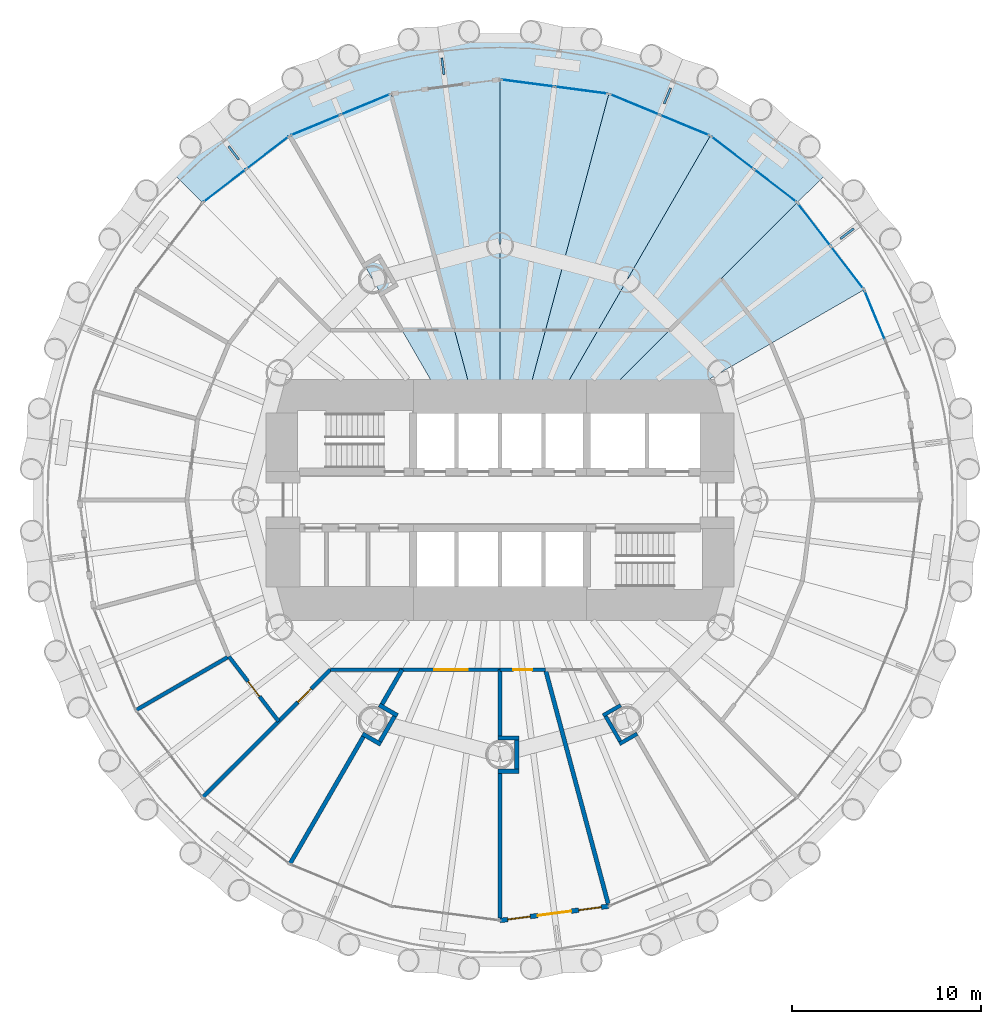
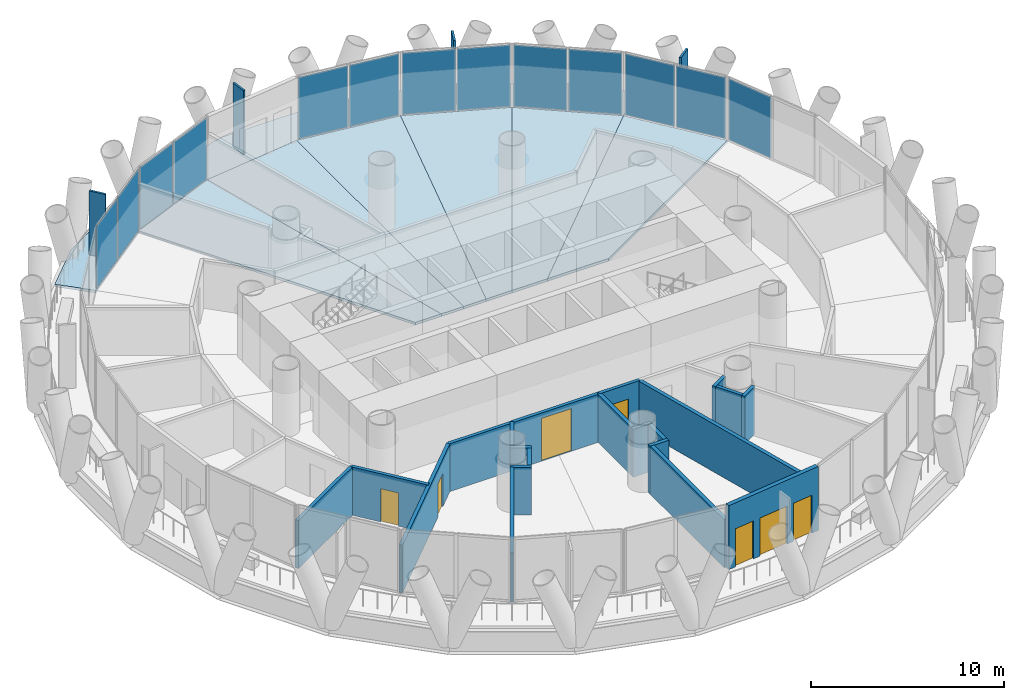
# One storey, part 8 of 15: 21 walls, 17 plates, 7 slabs, 5 doors, 2 windows, 7 openings, 7 elements without a shape of their own.
"""IFC4 building model written with IfcOpenShell, lengths in metres."""

from ifc_helpers import new_model, si_unit, direction, frame, frame_2d, origin, origin_2d, place, context, subcontext, project, spatial, polyline, rectangle, outline, extrude, material, layer, layer_set, type_object, element, fill, aggregate, save


model = new_model("IFC4")

# Units and contexts
model_context = context("Model", 3, precision=1e-05, world=origin(), true_north=direction((0.0, 1.0)))
body_context = subcontext(model_context, "Body", "Model", "MODEL_VIEW")
ifc_project = project(units=[si_unit("LENGTHUNIT", "METRE"), si_unit("AREAUNIT", "SQUARE_METRE"), si_unit("VOLUMEUNIT", "CUBIC_METRE"), si_unit("PLANEANGLEUNIT", "RADIAN"), si_unit("MASSUNIT", "GRAM", prefix="KILO")], contexts=[model_context])

# Site, building, storey
site_placement = place(None, origin())
site = spatial("IfcSite", under=ifc_project, at=site_placement, CompositionType="ELEMENT")
building_placement = place(site_placement, origin())
building = spatial("IfcBuilding", under=site, at=building_placement, Name="Qaws Media Tower", CompositionType="ELEMENT")
storey_placement = place(building_placement, frame((0.0, 0.0, 51.199951171875)))
storey = spatial("IfcBuildingStorey", under=building, at=storey_placement, Name="L10", CompositionType="ELEMENT", Elevation=51.199951171875)

# Slabs
ifc_material_1 = material(Name="Concrete C35/45", Category="concrete")
ifc_layer_1 = layer(ifc_material_1, 0.159912109375)
ifc_layer_set_1 = layer_set([ifc_layer_1], Name="Composite balcony slab 160")
slab_type_1 = type_object("IfcSlabType", Name="Composite balcony slab 160", PredefinedType="FLOOR", material=ifc_layer_set_1)
slab_1_placement = place(storey_placement, frame((0.0, 0.0, -0.159912109375)))
element("IfcSlab", 1, at=slab_1_placement, inside=storey, type_object=slab_type_1, Name="S2 balcony slab L10 R04 to R10, movement joints on R04 and R10", PredefinedType="FLOOR", context=body_context, shape_type="SweptSolid", body=[
    extrude(outline(polyline([(44.963623046875, 69.595703125), (50.547607421875, 72.81982421875), (56.77587890625, 74.48876953125), (63.22412109375, 74.48876953125), (69.452392578125, 72.81982421875), (75.036376953125, 69.595703125), (77.316162109375, 67.316162109375), (75.7685546875, 65.7685546875), (71.14990234375, 69.3125), (65.771728515625, 71.5400390625), (60.0, 72.300048828125), (54.228271484375, 71.5400390625), (48.85009765625, 69.3125), (44.2314453125, 65.7685546875), (42.683837890625, 67.316162109375), (44.963623046875, 69.595703125)])), origin(), (0.0, 0.0, 1.0), 0.159912109375),
])
ifc_material_2 = material(Name="Concrete C35/45", Category="concrete")
ifc_layer_2 = layer(ifc_material_2, 0.159912109375)
ifc_layer_set_2 = layer_set([ifc_layer_2], Name="Composite floor slab 160")
slab_type_2 = type_object("IfcSlabType", Name="Composite floor slab 160", PredefinedType="FLOOR", material=ifc_layer_set_2)
slab_2_placement = place(storey_placement, frame((0.0, 0.0, -0.159912109375)))
element("IfcSlab", 2, at=slab_2_placement, inside=storey, type_object=slab_type_2, Name="S1 floor panel L10 on R03+7.5", PredefinedType="FLOOR", context=body_context, shape_type="SweptSolid", body=[
    extrude(outline(polyline([(79.3125, 61.14990234375), (68.660400390625, 55.0), (65.0, 55.0), (75.7685546875, 65.7685546875), (79.3125, 61.14990234375)])), origin(), (0.0, 0.0, 1.0), 0.159912109375),
])
slab_3_placement = place(storey_placement, frame((0.0, 0.0, -0.159912109375)))
element("IfcSlab", 3, at=slab_3_placement, inside=storey, type_object=slab_type_2, Name="S1 floor panel L10 on R04+7.5", PredefinedType="FLOOR", context=body_context, shape_type="SweptSolid", body=[
    extrude(outline(polyline([(75.7685546875, 65.7685546875), (65.0, 55.0), (62.88671875, 55.0), (71.14990234375, 69.3125), (75.7685546875, 65.7685546875)])), origin(), (0.0, 0.0, 1.0), 0.159912109375),
])
slab_4_placement = place(storey_placement, frame((0.0, 0.0, -0.159912109375)))
element("IfcSlab", 4, at=slab_4_placement, inside=storey, type_object=slab_type_2, Name="S1 floor panel L10 on R05+7.5", PredefinedType="FLOOR", context=body_context, shape_type="SweptSolid", body=[
    extrude(outline(polyline([(65.771728515625, 71.5400390625), (71.14990234375, 69.3125), (62.88671875, 55.0), (61.339599609375, 55.0), (65.771728515625, 71.5400390625)])), origin(), (0.0, 0.0, 1.0), 0.159912109375),
])
slab_5_placement = place(storey_placement, frame((0.0, 0.0, -0.159912109375)))
element("IfcSlab", 5, at=slab_5_placement, inside=storey, type_object=slab_type_2, Name="S1 floor panel L10 on R06+7.5", PredefinedType="FLOOR", context=body_context, shape_type="SweptSolid", body=[
    extrude(outline(polyline([(65.771728515625, 71.5400390625), (61.339599609375, 55.0), (60.0, 55.0), (60.0, 72.300048828125), (65.771728515625, 71.5400390625)])), origin(), (0.0, 0.0, 1.0), 0.159912109375),
])
slab_6_placement = place(storey_placement, frame((0.0, 0.0, -0.159912109375)))
element("IfcSlab", 6, at=slab_6_placement, inside=storey, type_object=slab_type_2, Name="S1 floor panel L10 on R07+7.5", PredefinedType="FLOOR", context=body_context, shape_type="SweptSolid", body=[
    extrude(outline(polyline([(60.0, 72.300048828125), (60.0, 55.0), (58.660400390625, 55.0), (54.228271484375, 71.5400390625), (60.0, 72.300048828125)])), origin(), (0.0, 0.0, 1.0), 0.159912109375),
])
slab_7_placement = place(storey_placement, frame((0.0, 0.0, -0.159912109375)))
element("IfcSlab", 7, at=slab_7_placement, inside=storey, type_object=slab_type_2, Name="S1 floor panel L10 on R08+7.5", PredefinedType="FLOOR", context=body_context, shape_type="SweptSolid", body=[
    extrude(outline(polyline([(48.85009765625, 69.3125), (54.228271484375, 71.5400390625), (58.660400390625, 55.0), (57.11328125, 55.0), (48.85009765625, 69.3125)])), origin(), (0.0, 0.0, 1.0), 0.159912109375),
])

# Curtain wall, plate
ifc_material_3 = material(Name="Aluminium and clear glass", Category="aluminium")
curtain_wall_type = type_object("IfcCurtainWallType", Name="Unitised curtain wall CW-A", PredefinedType="NOTDEFINED", material=ifc_material_3)
curtain_wall_1_placement = place(storey_placement, origin())
curtain_wall_1 = element("IfcCurtainWall", 8, at=curtain_wall_1_placement, inside=storey, type_object=curtain_wall_type, Name="CWA curtain wall L10-02", PredefinedType="NOTDEFINED")
ifc_material_4 = material(Name="Clear laminated double glazing", Category="glass")
ifc_layer_3 = layer(ifc_material_4, 0.031982421875)
ifc_layer_set_3 = layer_set([ifc_layer_3], Name="Curtain wall glass unit 32")
plate_type_1 = type_object("IfcPlateType", Name="Curtain wall glass unit 32", PredefinedType="CURTAIN_PANEL", material=ifc_layer_set_3)
plate_1_placement = place(storey_placement, frame((79.876953125, 59.786865234375, 0.080078125), z_axis=(0.0, 0.0, 1.0), x_axis=(-0.382683388377, 0.923879550732, 0.0)))
plate_1 = element("IfcPlate", 9, at=plate_1_placement, type_object=plate_type_1, Name="CWA panel 2.1", PredefinedType="CURTAIN_PANEL", context=body_context, shape_type="SweptSolid", body=[
    extrude(rectangle(XDim=2.790771484375, YDim=0.031982421875, at=origin_2d()), origin(), (0.0, 0.0, 1.0), 3.8798828125),
])
aggregate(curtain_wall_1, [plate_1])

# Curtain wall, plates
curtain_wall_2_placement = place(storey_placement, origin())
curtain_wall_2 = element("IfcCurtainWall", 10, at=curtain_wall_2_placement, inside=storey, type_object=curtain_wall_type, Name="CWA curtain wall L10-03", PredefinedType="NOTDEFINED")
plate_2_placement = place(storey_placement, frame((78.414306640625, 62.320556640625, 0.080078125), z_axis=(0.0, 0.0, 1.0), x_axis=(-0.608761524717, 0.793353266852, 0.0)))
plate_2 = element("IfcPlate", 11, at=plate_2_placement, type_object=plate_type_1, Name="CWA panel 1.1", PredefinedType="CURTAIN_PANEL", context=body_context, shape_type="SweptSolid", body=[
    extrude(rectangle(XDim=2.790771484375, YDim=0.031982421875, at=origin_2d()), origin(), (0.0, 0.0, 1.0), 3.8798828125),
])
plate_3_placement = place(storey_placement, frame((76.666748046875, 64.597900390625, 0.080078125), z_axis=(0.0, 0.0, 1.0), x_axis=(-0.608761524717, 0.793353266852, 0.0)))
plate_3 = element("IfcPlate", 12, at=plate_3_placement, type_object=plate_type_1, Name="CWA panel 2.1", PredefinedType="CURTAIN_PANEL", context=body_context, shape_type="SweptSolid", body=[
    extrude(rectangle(XDim=2.790771484375, YDim=0.031982421875, at=origin_2d()), origin(), (0.0, 0.0, 1.0), 3.8798828125),
])
aggregate(curtain_wall_2, [plate_2, plate_3])

curtain_wall_3_placement = place(storey_placement, origin())
curtain_wall_3 = element("IfcCurtainWall", 13, at=curtain_wall_3_placement, inside=storey, type_object=curtain_wall_type, Name="CWA curtain wall L10-04", PredefinedType="NOTDEFINED")
plate_4_placement = place(storey_placement, frame((74.597900390625, 66.666748046875, 0.080078125), z_axis=(0.0, 0.0, 1.0), x_axis=(-0.793353266852, 0.608761524717, 0.0)))
plate_4 = element("IfcPlate", 14, at=plate_4_placement, type_object=plate_type_1, Name="CWA panel 1.1", PredefinedType="CURTAIN_PANEL", context=body_context, shape_type="SweptSolid", body=[
    extrude(rectangle(XDim=2.790771484375, YDim=0.031982421875, at=origin_2d()), origin(), (0.0, 0.0, 1.0), 3.8798828125),
])
plate_5_placement = place(storey_placement, frame((72.320556640625, 68.414306640625, 0.080078125), z_axis=(0.0, 0.0, 1.0), x_axis=(-0.793353266852, 0.608761524717, 0.0)))
plate_5 = element("IfcPlate", 15, at=plate_5_placement, type_object=plate_type_1, Name="CWA panel 2.1", PredefinedType="CURTAIN_PANEL", context=body_context, shape_type="SweptSolid", body=[
    extrude(rectangle(XDim=2.790771484375, YDim=0.031982421875, at=origin_2d()), origin(), (0.0, 0.0, 1.0), 3.8798828125),
])
aggregate(curtain_wall_3, [plate_4, plate_5])

curtain_wall_4_placement = place(storey_placement, origin())
curtain_wall_4 = element("IfcCurtainWall", 16, at=curtain_wall_4_placement, inside=storey, type_object=curtain_wall_type, Name="CWA curtain wall L10-05", PredefinedType="NOTDEFINED")
plate_6_placement = place(storey_placement, frame((69.786865234375, 69.876953125, 0.080078125), z_axis=(0.0, 0.0, 1.0), x_axis=(-0.923879550732, 0.382683388377, 0.0)))
plate_6 = element("IfcPlate", 17, at=plate_6_placement, type_object=plate_type_1, Name="CWA panel 1.1", PredefinedType="CURTAIN_PANEL", context=body_context, shape_type="SweptSolid", body=[
    extrude(rectangle(XDim=2.790771484375, YDim=0.031982421875, at=origin_2d()), origin(), (0.0, 0.0, 1.0), 3.8798828125),
])
plate_7_placement = place(storey_placement, frame((67.134765625, 70.9755859375, 0.080078125), z_axis=(0.0, 0.0, 1.0), x_axis=(-0.923879550732, 0.382683388377, 0.0)))
plate_7 = element("IfcPlate", 18, at=plate_7_placement, type_object=plate_type_1, Name="CWA panel 2.1", PredefinedType="CURTAIN_PANEL", context=body_context, shape_type="SweptSolid", body=[
    extrude(rectangle(XDim=2.790771484375, YDim=0.031982421875, at=origin_2d()), origin(), (0.0, 0.0, 1.0), 3.8798828125),
])
aggregate(curtain_wall_4, [plate_6, plate_7])

curtain_wall_5_placement = place(storey_placement, origin())
curtain_wall_5 = element("IfcCurtainWall", 19, at=curtain_wall_5_placement, inside=storey, type_object=curtain_wall_type, Name="CWA curtain wall L10-06", PredefinedType="NOTDEFINED")
plate_8_placement = place(storey_placement, frame((64.308837890625, 71.732666015625, 0.080078125), z_axis=(0.0, 0.0, 1.0), x_axis=(-0.991444863875, 0.13052617322, 0.0)))
plate_8 = element("IfcPlate", 20, at=plate_8_placement, type_object=plate_type_1, Name="CWA panel 1.1", PredefinedType="CURTAIN_PANEL", context=body_context, shape_type="SweptSolid", body=[
    extrude(rectangle(XDim=2.790771484375, YDim=0.031982421875, at=origin_2d()), origin(), (0.0, 0.0, 1.0), 3.8798828125),
])
plate_9_placement = place(storey_placement, frame((61.462646484375, 72.107421875, 0.080078125), z_axis=(0.0, 0.0, 1.0), x_axis=(-0.991444863875, 0.13052617322, 0.0)))
plate_9 = element("IfcPlate", 21, at=plate_9_placement, type_object=plate_type_1, Name="CWA panel 2.1", PredefinedType="CURTAIN_PANEL", context=body_context, shape_type="SweptSolid", body=[
    extrude(rectangle(XDim=2.790771484375, YDim=0.031982421875, at=origin_2d()), origin(), (0.0, 0.0, 1.0), 3.8798828125),
])
aggregate(curtain_wall_5, [plate_8, plate_9])

curtain_wall_6_placement = place(storey_placement, origin())
curtain_wall_6 = element("IfcCurtainWall", 22, at=curtain_wall_6_placement, inside=storey, type_object=curtain_wall_type, Name="CWA curtain wall L10-08", PredefinedType="NOTDEFINED")
plate_10_placement = place(storey_placement, frame((52.865234375, 70.9755859375, 0.080078125), z_axis=(0.0, 0.0, 1.0), x_axis=(-0.923879550732, -0.382683388377, 0.0)))
plate_10 = element("IfcPlate", 23, at=plate_10_placement, type_object=plate_type_1, Name="CWA panel 1.1", PredefinedType="CURTAIN_PANEL", context=body_context, shape_type="SweptSolid", body=[
    extrude(rectangle(XDim=2.790771484375, YDim=0.031982421875, at=origin_2d()), origin(), (0.0, 0.0, 1.0), 3.8798828125),
])
plate_11_placement = place(storey_placement, frame((50.213134765625, 69.876953125, 0.080078125), z_axis=(0.0, 0.0, 1.0), x_axis=(-0.923879550732, -0.382683388377, 0.0)))
plate_11 = element("IfcPlate", 24, at=plate_11_placement, type_object=plate_type_1, Name="CWA panel 2.1", PredefinedType="CURTAIN_PANEL", context=body_context, shape_type="SweptSolid", body=[
    extrude(rectangle(XDim=2.790771484375, YDim=0.031982421875, at=origin_2d()), origin(), (0.0, 0.0, 1.0), 3.8798828125),
])
aggregate(curtain_wall_6, [plate_10, plate_11])

curtain_wall_7_placement = place(storey_placement, origin())
curtain_wall_7 = element("IfcCurtainWall", 25, at=curtain_wall_7_placement, inside=storey, type_object=curtain_wall_type, Name="CWA curtain wall L10-09", PredefinedType="NOTDEFINED")
plate_12_placement = place(storey_placement, frame((47.679443359375, 68.414306640625, 0.080078125), z_axis=(0.0, 0.0, 1.0), x_axis=(-0.793353266852, -0.608761524717, 0.0)))
plate_12 = element("IfcPlate", 26, at=plate_12_placement, type_object=plate_type_1, Name="CWA panel 1.1", PredefinedType="CURTAIN_PANEL", context=body_context, shape_type="SweptSolid", body=[
    extrude(rectangle(XDim=2.790771484375, YDim=0.031982421875, at=origin_2d()), origin(), (0.0, 0.0, 1.0), 3.8798828125),
])
plate_13_placement = place(storey_placement, frame((45.402099609375, 66.666748046875, 0.080078125), z_axis=(0.0, 0.0, 1.0), x_axis=(-0.793353266852, -0.608761524717, 0.0)))
plate_13 = element("IfcPlate", 27, at=plate_13_placement, type_object=plate_type_1, Name="CWA panel 2.1", PredefinedType="CURTAIN_PANEL", context=body_context, shape_type="SweptSolid", body=[
    extrude(rectangle(XDim=2.790771484375, YDim=0.031982421875, at=origin_2d()), origin(), (0.0, 0.0, 1.0), 3.8798828125),
])
aggregate(curtain_wall_7, [plate_12, plate_13])

# Plates
ifc_material_5 = material(Name="Precast concrete screen fin", Category="concrete")
ifc_layer_4 = layer(ifc_material_5, 0.1201171875)
ifc_layer_set_4 = layer_set([ifc_layer_4], Name="Screen fin 120x900")
plate_type_2 = type_object("IfcPlateType", Name="Screen fin 120x900", PredefinedType="USERDEFINED", material=ifc_layer_set_4)
for number, where, z_axis, x_axis, name in (
    (28, (78.40576171875, 64.123291015625, 0.0), (0.0, 0.0, 1.0), (0.793353340291, 0.608761429009, 0.0), "SCR1 screen fin L10-02"),
    (29, (68.878173828125, 71.43408203125, 0.0), (0.0, 0.0, 1.0), (0.382683432365, 0.923879532511, 0.0), "SCR1 screen fin L10-03"),
    (30, (56.9716796875, 73.00146484375, 0.0), (0.0, 0.0, 1.0), (-0.13052619222, 0.991444861374, 0.0), "SCR1 screen fin L10-04"),
    (31, (45.876708984375, 68.40576171875, 0.0), (0.0, 0.0, 1.0), (-0.608761429009, 0.793353340291, 0.0), "SCR1 screen fin L10-05"),
):
    element("IfcPlate", number, at=place(storey_placement, frame(where, z_axis=z_axis, x_axis=x_axis)), inside=storey, type_object=plate_type_2, Name=name, ObjectType="SCREEN", PredefinedType="USERDEFINED", context=body_context, shape_type="SweptSolid", body=[
        extrude(rectangle(XDim=0.89990234375, YDim=0.1201171875, at=origin_2d()), origin(), (0.0, 0.0, 1.0), 4.0400390625),
    ])

# Walls
ifc_material_6 = material(Name="Twin metal stud frames, two layers gypsum board each side, insulated, Rw 55", Category="gypsum")
ifc_layer_5 = layer(ifc_material_6, 0.22509765625)
ifc_layer_set_5 = layer_set([ifc_layer_5], Name="Acoustic twin-stud partition 225 Rw 55")
wall_type_1 = type_object("IfcWallType", Name="Acoustic twin-stud partition 225 Rw 55", PredefinedType="PARTITIONING", material=ifc_layer_set_5)
wall_1_placement = place(storey_placement, frame((53.59423828125, 39.1298828125, 0.0), z_axis=(0.0, 0.0, 1.0), x_axis=(0.866112899501, -0.499848422343, 0.0)))
element("IfcWall", 32, at=wall_1_placement, inside=storey, type_object=wall_type_1, Name="W062 IW6 partition return L10", PredefinedType="PARTITIONING", context=body_context, shape_type="SweptSolid", body=[
    extrude(rectangle(XDim=1.118408203125, YDim=0.22509765625, at=frame_2d((0.55908203125, 0.0))), origin(), (0.0, 0.0, 1.0), 3.02001953125),
])
wall_2_placement = place(storey_placement, frame((52.710693359375, 37.599853515625, 0.0), z_axis=(0.0, 0.0, 1.0), x_axis=(0.866018397847, -0.500012134443, 0.0)))
element("IfcWall", 33, at=wall_2_placement, inside=storey, type_object=wall_type_1, Name="W058 IW6 partition return L10", PredefinedType="PARTITIONING", context=body_context, shape_type="SweptSolid", body=[
    extrude(rectangle(XDim=1.11865234375, YDim=0.22509765625, at=frame_2d((0.559326171875, 0.0))), origin(), (0.0, 0.0, 1.0), 3.02001953125),
])
wall_3_placement = place(storey_placement, frame((54.4091796875, 38.529541015625, 0.0), z_axis=(0.0, 0.0, 1.0), x_axis=(-0.499987416453, -0.866032668777, 0.0)))
element("IfcWall", 34, at=wall_3_placement, inside=storey, type_object=wall_type_1, Name="W064 IW6 partition return L10", PredefinedType="PARTITIONING", context=body_context, shape_type="SweptSolid", body=[
    extrude(rectangle(XDim=1.5419921875, YDim=0.22509765625, at=frame_2d((0.77099609375, 0.0))), origin(), (0.0, 0.0, 1.0), 3.02001953125),
])
wall_4_placement = place(storey_placement, frame((54.81005859375, 41.0107421875, 0.0), z_axis=(0.0, 0.0, 1.0), x_axis=(-0.499971184285, -0.866042039906, 0.0)))
element("IfcWall", 35, at=wall_4_placement, inside=storey, type_object=wall_type_1, Name="W066 IW6 partition L10", PredefinedType="PARTITIONING", context=body_context, shape_type="SweptSolid", body=[
    extrude(rectangle(XDim=2.124267578125, YDim=0.22509765625, at=frame_2d((1.06201171875, 0.0))), origin(), (0.0, 0.0, 1.0), 3.0400390625),
])
wall_5_placement = place(storey_placement, frame((52.751953125, 37.446044921875, 0.0), z_axis=(0.0, 0.0, 1.0), x_axis=(-0.499994660107, -0.866028486751, 0.0)))
element("IfcWall", 36, at=wall_5_placement, inside=storey, type_object=wall_type_1, Name="W075 IW6 partition L10", PredefinedType="PARTITIONING", context=body_context, shape_type="SweptSolid", body=[
    extrude(rectangle(XDim=7.763671875, YDim=0.22509765625, at=frame_2d((3.8818359375, 0.0))), origin(), (0.0, 0.0, 1.0), 3.0400390625),
])
for number, where, z_axis, x_axis, name in (
    (37, (59.887451171875, 37.383544921875, 0.0), (0.0, 0.0, 1.0), (1.0, 0.0, 0.0), "W069 IW6 partition return L10"),
    (38, (59.887451171875, 35.616455078125, 0.0), (0.0, 0.0, 1.0), (1.0, 0.0, 0.0), "W068 IW6 partition return L10"),
):
    element("IfcWall", number, at=place(storey_placement, frame(where, z_axis=z_axis, x_axis=x_axis)), inside=storey, type_object=wall_type_1, Name=name, PredefinedType="PARTITIONING", context=body_context, shape_type="SweptSolid", body=[
        extrude(rectangle(XDim=1.11865234375, YDim=0.22509765625, at=frame_2d((0.559326171875, 0.0))), origin(), (0.0, 0.0, 1.0), 3.02001953125),
    ])
wall_6_placement = place(storey_placement, frame((60.8935546875, 37.27099609375, 0.0), z_axis=(0.0, 0.0, 1.0), x_axis=(0.0, -1.0, 0.0)))
element("IfcWall", 39, at=wall_6_placement, inside=storey, type_object=wall_type_1, Name="W072 IW6 partition return L10", PredefinedType="PARTITIONING", context=body_context, shape_type="SweptSolid", body=[
    extrude(rectangle(XDim=1.5419921875, YDim=0.22509765625, at=frame_2d((0.77099609375, 0.0))), origin(), (0.0, 0.0, 1.0), 3.02001953125),
])
wall_7_placement = place(storey_placement, frame((60.0, 41.0, 0.0), z_axis=(0.0, 0.0, 1.0), x_axis=(0.0, -1.0, 0.0)))
element("IfcWall", 40, at=wall_7_placement, inside=storey, type_object=wall_type_1, Name="W071 IW6 partition L10", PredefinedType="PARTITIONING", context=body_context, shape_type="SweptSolid", body=[
    extrude(rectangle(XDim=3.50390625, YDim=0.22509765625, at=frame_2d((1.751953125, 0.0))), origin(), (0.0, 0.0, 1.0), 3.0400390625),
])
wall_8_placement = place(storey_placement, frame((60.0, 35.50390625, 0.0), z_axis=(0.0, 0.0, 1.0), x_axis=(0.0, -1.0, 0.0)))
element("IfcWall", 41, at=wall_8_placement, inside=storey, type_object=wall_type_1, Name="W077 IW6 partition L10", PredefinedType="PARTITIONING", context=body_context, shape_type="SweptSolid", body=[
    extrude(rectangle(XDim=7.663818359375, YDim=0.22509765625, at=frame_2d((3.83203125, 0.0))), origin(), (0.0, 0.0, 1.0), 3.0400390625),
])
wall_9_placement = place(storey_placement, frame((62.412109375, 40.99755859375, 0.0), z_axis=(0.0, 0.0, 1.0), x_axis=(0.258822256576, -0.965924965772, 0.0)))
element("IfcWall", 42, at=wall_9_placement, inside=storey, type_object=wall_type_1, Name="W078 IW6 partition L10", PredefinedType="PARTITIONING", context=body_context, shape_type="SweptSolid", body=[
    extrude(rectangle(XDim=12.83984375, YDim=0.22509765625, at=frame_2d((6.419921875, 0.0))), origin(), (0.0, 0.0, 1.0), 3.02001953125),
])

# Wall, openings, door, windows
ifc_material_7 = material(Name="Precast concrete, exposed finish", Category="concrete")
ifc_layer_6 = layer(ifc_material_7, 0.25)
ifc_layer_set_6 = layer_set([ifc_layer_6], Name="Balcony door wall 250")
wall_type_2 = type_object("IfcWallType", Name="Balcony door wall 250", PredefinedType="SOLIDWALL", material=ifc_layer_set_6)
wall_10_placement = place(storey_placement, frame((60.0, 27.699951171875, 0.0), z_axis=(0.0, 0.0, 1.0), x_axis=(0.99144158687, 0.130551062135, 0.0)))
wall_10 = element("IfcWall", 43, at=wall_10_placement, inside=storey, type_object=wall_type_2, Name="W130 EW1 balcony door wall L10-19", PredefinedType="SOLIDWALL", context=body_context, shape_type="SweptSolid", body=[
    extrude(rectangle(XDim=5.821533203125, YDim=0.25, at=frame_2d((2.91064453125, 0.0))), origin(), (0.0, 0.0, 1.0), 4.0400390625),
])
opening_1_placement = place(wall_10_placement, frame((2.0107421875, 0.0, 0.0)))
opening_1 = element("IfcOpeningElement", 44, at=opening_1_placement, cuts=wall_10, Name="Opening D7", PredefinedType="OPENING", context=body_context, shape_type="SweptSolid", body=[
    extrude(rectangle(XDim=1.800048828125, YDim=2.39990234375, at=frame_2d((0.89990234375, 1.199951171875))), frame((0.0, 0.135009765625, 0.0), z_axis=(0.0, -1.0, 0.0), x_axis=(1.0, 0.0, 0.0)), (0.0, 0.0, 1.0), 0.27001953125),
])
opening_2_placement = place(wall_10_placement, frame((0.41064453125, 0.0, 0.0)))
opening_2 = element("IfcOpeningElement", 45, at=opening_2_placement, cuts=wall_10, Name="Opening W1", PredefinedType="OPENING", context=body_context, shape_type="SweptSolid", body=[
    extrude(rectangle(XDim=1.199951171875, YDim=2.39990234375, at=frame_2d((0.60009765625, 1.199951171875))), frame((0.0, 0.135009765625, 0.0), z_axis=(0.0, -1.0, 0.0), x_axis=(1.0, 0.0, 0.0)), (0.0, 0.0, 1.0), 0.27001953125),
])
opening_3_placement = place(wall_10_placement, frame((4.210693359375, 0.0, 0.0)))
opening_3 = element("IfcOpeningElement", 46, at=opening_3_placement, cuts=wall_10, Name="Opening W1", PredefinedType="OPENING", context=body_context, shape_type="SweptSolid", body=[
    extrude(rectangle(XDim=1.199951171875, YDim=2.39990234375, at=frame_2d((0.60009765625, 1.199951171875))), frame((0.0, 0.135009765625, 0.0), z_axis=(0.0, -1.0, 0.0), x_axis=(1.0, 0.0, 0.0)), (0.0, 0.0, 1.0), 0.27001953125),
])
ifc_material_8 = material(Name="Aluminium and clear glass", Category="aluminium")
door_type_1 = type_object("IfcDoorType", Name="Balcony door pair 1800", OperationType="DOUBLE_DOOR_SLIDING", PredefinedType="DOOR", material=ifc_material_8)
door_1_placement = place(opening_1_placement, origin())
door_1 = element("IfcDoor", 47, at=door_1_placement, inside=storey, type_object=door_type_1, Name="D7 balcony door L10-19 in wall W130", OperationType="DOUBLE_DOOR_SLIDING", OverallHeight=2.39990234375, OverallWidth=1.800048828125, PredefinedType="DOOR", context=body_context, shape_type="SweptSolid", body=[
    extrude(rectangle(XDim=1.800048828125, YDim=2.39990234375, at=frame_2d((0.89990234375, 1.199951171875))), frame((0.0, 0.02490234375, 0.0), z_axis=(0.0, -1.0, 0.0), x_axis=(1.0, 0.0, 0.0)), (0.0, 0.0, 1.0), 0.050048828125),
])
fill(opening_1, door_1)
ifc_material_9 = material(Name="Aluminium and clear glass", Category="aluminium")
window_type = type_object("IfcWindowType", Name="Balcony side window 1200", PartitioningType="SINGLE_PANEL", PredefinedType="WINDOW", material=ifc_material_9)
window_1_placement = place(opening_2_placement, origin())
window_1 = element("IfcWindow", 48, at=window_1_placement, inside=storey, type_object=window_type, Name="W1 balcony side light L10-19L", OverallHeight=2.39990234375, OverallWidth=1.199951171875, PartitioningType="SINGLE_PANEL", PredefinedType="WINDOW", context=body_context, shape_type="SweptSolid", body=[
    extrude(rectangle(XDim=1.199951171875, YDim=2.39990234375, at=frame_2d((0.60009765625, 1.199951171875))), frame((0.0, 0.030029296875, 0.0), z_axis=(0.0, -1.0, 0.0), x_axis=(1.0, 0.0, 0.0)), (0.0, 0.0, 1.0), 0.06005859375),
])
fill(opening_2, window_1)
window_2_placement = place(opening_3_placement, origin())
window_2 = element("IfcWindow", 49, at=window_2_placement, inside=storey, type_object=window_type, Name="W1 balcony side light L10-19R", OverallHeight=2.39990234375, OverallWidth=1.199951171875, PartitioningType="SINGLE_PANEL", PredefinedType="WINDOW", context=body_context, shape_type="SweptSolid", body=[
    extrude(rectangle(XDim=1.199951171875, YDim=2.39990234375, at=frame_2d((0.60009765625, 1.199951171875))), frame((0.0, 0.030029296875, 0.0), z_axis=(0.0, -1.0, 0.0), x_axis=(1.0, 0.0, 0.0)), (0.0, 0.0, 1.0), 0.06005859375),
])
fill(opening_3, window_2)

# Wall, opening, door
ifc_material_10 = material(Name="Gypsum board on galvanised metal studs, acoustic double stud, deflection head", Category="gypsum")
ifc_layer_7 = layer(ifc_material_10, 0.199951171875)
ifc_layer_set_7 = layer_set([ifc_layer_7], Name="Room partition 200")
wall_type_3 = type_object("IfcWallType", Name="Room partition 200", PredefinedType="PARTITIONING", material=ifc_layer_set_7)
wall_11_placement = place(storey_placement, frame((48.261962890625, 38.261962890625, 0.0), z_axis=(0.0, 0.0, 1.0), x_axis=(-0.60874374674, 0.79336690806, 0.0)))
wall_11 = element("IfcWall", 50, at=wall_11_placement, inside=storey, type_object=wall_type_3, Name="W993 IW3 partition L10", PredefinedType="PARTITIONING", context=body_context, shape_type="SweptSolid", body=[
    extrude(rectangle(XDim=4.33349609375, YDim=0.199951171875, at=frame_2d((2.166748046875, 0.0))), origin(), (0.0, 0.0, 1.0), 3.0400390625),
])
opening_4_placement = place(wall_11_placement, frame((1.666748046875, 0.0, 0.0)))
opening_4 = element("IfcOpeningElement", 51, at=opening_4_placement, cuts=wall_11, Name="Opening D5", PredefinedType="OPENING", context=body_context, shape_type="SweptSolid", body=[
    extrude(rectangle(XDim=1.0, YDim=2.10009765625, at=frame_2d((0.5, 1.050048828125))), frame((0.0, 0.10986328125, 0.0), z_axis=(0.0, -1.0, 0.0), x_axis=(1.0, 0.0, 0.0)), (0.0, 0.0, 1.0), 0.219970703125),
])
ifc_material_11 = material(Name="Timber veneered, acoustic seal", Category="wood")
door_type_2 = type_object("IfcDoorType", Name="Room door 1000", OperationType="SINGLE_SWING_LEFT", PredefinedType="DOOR", material=ifc_material_11)
door_2_placement = place(opening_4_placement, origin())
door_2 = element("IfcDoor", 52, at=door_2_placement, inside=storey, type_object=door_type_2, Name="D5 Edit room door L10 in wall W993", OperationType="SINGLE_SWING_LEFT", OverallHeight=2.10009765625, OverallWidth=1.0, PredefinedType="DOOR", context=body_context, shape_type="SweptSolid", body=[
    extrude(rectangle(XDim=1.0, YDim=2.10009765625, at=frame_2d((0.5, 1.050048828125))), frame((0.0, 0.02490234375, 0.0), z_axis=(0.0, -1.0, 0.0), x_axis=(1.0, 0.0, 0.0)), (0.0, 0.0, 1.0), 0.050048828125),
])
fill(opening_4, door_2)

wall_12_placement = place(storey_placement, frame((62.41162109375, 41.0, 0.0), z_axis=(0.0, 0.0, 1.0), x_axis=(-1.0, 0.0, 0.0)))
wall_12 = element("IfcWall", 53, at=wall_12_placement, inside=storey, type_object=wall_type_3, Name="W1002 IW3 partition L10", PredefinedType="PARTITIONING", context=body_context, shape_type="SweptSolid", body=[
    extrude(rectangle(XDim=2.41162109375, YDim=0.199951171875, at=frame_2d((1.205810546875, 0.0))), origin(), (0.0, 0.0, 1.0), 3.0400390625),
])
opening_5_placement = place(wall_12_placement, frame((0.705810546875, 0.0, 0.0)))
opening_5 = element("IfcOpeningElement", 54, at=opening_5_placement, cuts=wall_12, Name="Opening D5", PredefinedType="OPENING", context=body_context, shape_type="SweptSolid", body=[
    extrude(rectangle(XDim=1.0, YDim=2.10009765625, at=frame_2d((0.5, 1.050048828125))), frame((0.0, 0.10986328125, 0.0), z_axis=(0.0, -1.0, 0.0), x_axis=(1.0, 0.0, 0.0)), (0.0, 0.0, 1.0), 0.219970703125),
])
door_3_placement = place(opening_5_placement, origin())
door_3 = element("IfcDoor", 55, at=door_3_placement, inside=storey, type_object=door_type_2, Name="D5 Machine room door L10 in wall W1002", OperationType="SINGLE_SWING_LEFT", OverallHeight=2.10009765625, OverallWidth=1.0, PredefinedType="DOOR", context=body_context, shape_type="SweptSolid", body=[
    extrude(rectangle(XDim=1.0, YDim=2.10009765625, at=frame_2d((0.5, 1.050048828125))), frame((0.0, 0.02490234375, 0.0), z_axis=(0.0, -1.0, 0.0), x_axis=(1.0, 0.0, 0.0)), (0.0, 0.0, 1.0), 0.050048828125),
])
fill(opening_5, door_3)

wall_13_placement = place(storey_placement, frame((60.0, 41.0, 0.0), z_axis=(0.0, 0.0, 1.0), x_axis=(-1.0, 0.0, 0.0)))
wall_13 = element("IfcWall", 56, at=wall_13_placement, inside=storey, type_object=wall_type_3, Name="W1001 IW3 partition L10", PredefinedType="PARTITIONING", context=body_context, shape_type="SweptSolid", body=[
    extrude(rectangle(XDim=5.1962890625, YDim=0.199951171875, at=frame_2d((2.59814453125, 0.0))), origin(), (0.0, 0.0, 1.0), 3.0400390625),
])
opening_6_placement = place(wall_13_placement, frame((1.697998046875, 0.0, 0.0)))
opening_6 = element("IfcOpeningElement", 57, at=opening_6_placement, cuts=wall_13, Name="Opening D15", PredefinedType="OPENING", context=body_context, shape_type="SweptSolid", body=[
    extrude(rectangle(XDim=1.800048828125, YDim=2.699951171875, at=frame_2d((0.89990234375, 1.35009765625))), frame((0.0, 0.10986328125, 0.0), z_axis=(0.0, -1.0, 0.0), x_axis=(1.0, 0.0, 0.0)), (0.0, 0.0, 1.0), 0.219970703125),
])
ifc_material_12 = material(Name="Steel acoustic door set, Rw 50", Category="steel")
door_type_3 = type_object("IfcDoorType", Name="Studio acoustic door pair 1800x2700 Rw 50", OperationType="DOUBLE_DOOR_DOUBLE_SWING", PredefinedType="DOOR", material=ifc_material_12)
door_4_placement = place(opening_6_placement, origin())
door_4 = element("IfcDoor", 58, at=door_4_placement, inside=storey, type_object=door_type_3, Name="D15 Audio dubbing theatre door L10 in wall W1001", OperationType="DOUBLE_DOOR_DOUBLE_SWING", OverallHeight=2.699951171875, OverallWidth=1.800048828125, PredefinedType="DOOR", context=body_context, shape_type="SweptSolid", body=[
    extrude(rectangle(XDim=1.800048828125, YDim=2.699951171875, at=frame_2d((0.89990234375, 1.35009765625))), frame((0.0, 0.02490234375, 0.0), z_axis=(0.0, -1.0, 0.0), x_axis=(1.0, 0.0, 0.0)), (0.0, 0.0, 1.0), 0.050048828125),
])
fill(opening_6, door_4)

# Walls
wall_14_placement = place(storey_placement, frame((54.8037109375, 41.0, 0.0), z_axis=(0.0, 0.0, 1.0), x_axis=(-1.0, 0.0, 0.0)))
element("IfcWall", 59, at=wall_14_placement, inside=storey, type_object=wall_type_3, Name="W997 IW3 partition L10", PredefinedType="PARTITIONING", context=body_context, shape_type="SweptSolid", body=[
    extrude(rectangle(XDim=3.8037109375, YDim=0.199951171875, at=frame_2d((1.90185546875, 0.0))), origin(), (0.0, 0.0, 1.0), 3.02001953125),
])
wall_15_placement = place(storey_placement, frame((45.6240234375, 41.699951171875, 0.0), z_axis=(0.0, 0.0, 1.0), x_axis=(-0.866034020963, -0.499985074313, 0.0)))
element("IfcWall", 60, at=wall_15_placement, inside=storey, type_object=wall_type_3, Name="W1035 IW3 partition L10", PredefinedType="PARTITIONING", context=body_context, shape_type="SweptSolid", body=[
    extrude(rectangle(XDim=5.659912109375, YDim=0.199951171875, at=frame_2d((2.830078125, 0.0))), origin(), (0.0, 0.0, 1.0), 3.0400390625),
])

# Wall, opening, door
wall_16_placement = place(storey_placement, frame((51.0, 41.0, 0.0), z_axis=(0.0, 0.0, 1.0), x_axis=(-0.707106781187, -0.707106781187, 0.0)))
wall_16 = element("IfcWall", 61, at=wall_16_placement, inside=storey, type_object=wall_type_3, Name="W1036 IW3 partition L10", PredefinedType="PARTITIONING", context=body_context, shape_type="SweptSolid", body=[
    extrude(rectangle(XDim=9.5322265625, YDim=0.199951171875, at=frame_2d((4.76611328125, 0.0))), origin(), (0.0, 0.0, 1.0), 3.02001953125),
])
opening_7_placement = place(wall_16_placement, frame((1.43603515625, 0.0, 0.0)))
opening_7 = element("IfcOpeningElement", 62, at=opening_7_placement, cuts=wall_16, Name="Opening D5", PredefinedType="OPENING", context=body_context, shape_type="SweptSolid", body=[
    extrude(rectangle(XDim=1.0, YDim=2.10009765625, at=frame_2d((0.5, 1.050048828125))), frame((0.0, 0.10986328125, 0.0), z_axis=(0.0, -1.0, 0.0), x_axis=(1.0, 0.0, 0.0)), (0.0, 0.0, 1.0), 0.219970703125),
])
door_5_placement = place(opening_7_placement, origin())
door_5 = element("IfcDoor", 63, at=door_5_placement, inside=storey, type_object=door_type_2, Name="D5 Edit room door L10 in wall W1036", OperationType="SINGLE_SWING_LEFT", OverallHeight=2.10009765625, OverallWidth=1.0, PredefinedType="DOOR", context=body_context, shape_type="SweptSolid", body=[
    extrude(rectangle(XDim=1.0, YDim=2.10009765625, at=frame_2d((0.5, 1.050048828125))), frame((0.0, 0.02490234375, 0.0), z_axis=(0.0, -1.0, 0.0), x_axis=(1.0, 0.0, 0.0)), (0.0, 0.0, 1.0), 0.050048828125),
])
fill(opening_7, door_5)

# Walls
for number, where, z_axis, x_axis, name in (
    (64, (66.401123046875, 39.113037109375, 0.0), (0.0, 0.0, 1.0), (-0.86603892542, -0.499976579108, 0.0), "W1027 IW3 partition return L10"),
    (65, (67.272216796875, 37.604248046875, 0.0), (0.0, 0.0, 1.0), (-0.86603892542, -0.499976579108, 0.0), "W1029 IW3 partition return L10"),
):
    element("IfcWall", number, at=place(storey_placement, frame(where, z_axis=z_axis, x_axis=x_axis)), inside=storey, type_object=wall_type_3, Name=name, PredefinedType="PARTITIONING", context=body_context, shape_type="SweptSolid", body=[
        extrude(rectangle(XDim=1.0810546875, YDim=0.199951171875, at=frame_2d((0.54052734375, 0.0))), origin(), (0.0, 0.0, 1.0), 3.02001953125),
    ])
wall_17_placement = place(storey_placement, frame((65.6015625, 38.535888671875, 0.0), z_axis=(0.0, 0.0, 1.0), x_axis=(0.499987416453, -0.866032668777, 0.0)))
element("IfcWall", 66, at=wall_17_placement, inside=storey, type_object=wall_type_3, Name="W1026 IW3 partition return L10", PredefinedType="PARTITIONING", context=body_context, shape_type="SweptSolid", body=[
    extrude(rectangle(XDim=1.5419921875, YDim=0.199951171875, at=frame_2d((0.77099609375, 0.0))), origin(), (0.0, 0.0, 1.0), 3.02001953125),
])

save(model, "model.ifc")
